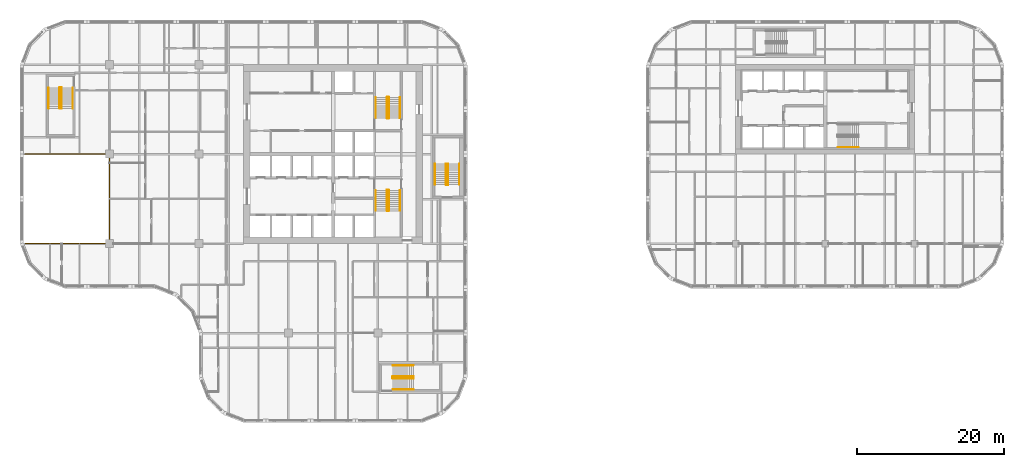
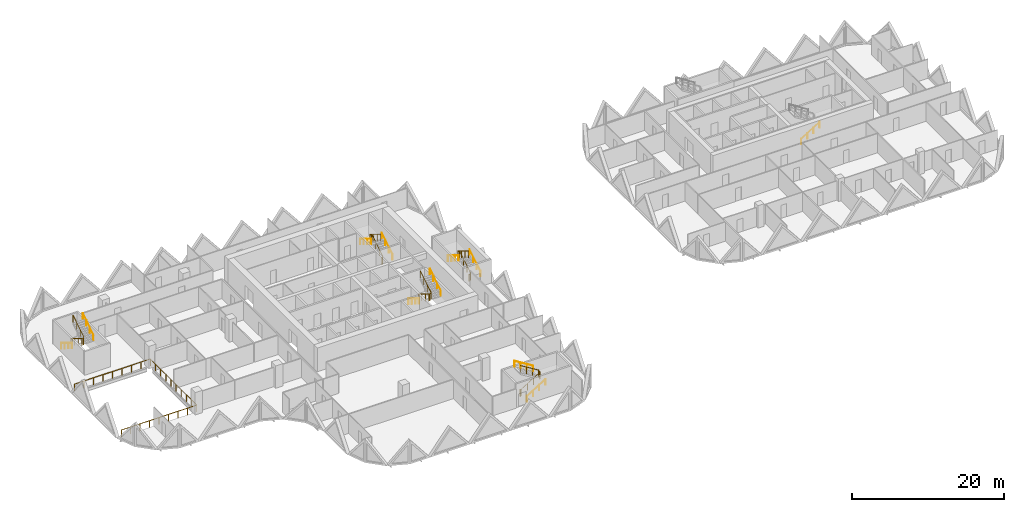
# One storey, part 18 of 19: 17 railings.
"""IFC4 building model written with IfcOpenShell, lengths in metres."""

import ifcopenshell
import ifcopenshell.guid

model = None  # the IFC model being written
_history = None  # IfcOwnerHistory: only IFC2X3 demands one
_inside = {}  # id of a spatial element -> (the spatial element, [elements in it])
_under = {}  # id of a project, library or spatial element -> (it, [spatial elements below it])
_declared = {}  # id of a project -> (the project, [libraries it declares])
_typed = {}  # id of a type object -> (the type object, [elements of that type])
_made_of = {}  # id of a material, layer set ... -> (it, [elements and type objects made of it])


def new_model(schema):
    """Start an empty IFC model of exactly this schema.

    Asked for "IFC4X3", IfcOpenShell would pick the latest addendum, in which some entities
    have other attributes; the version numbers below select the first issue.
    IFC2X3 requires an IfcOwnerHistory on every rooted entity: one is made here for all.
    """
    global model, _history
    if schema == "IFC4X3":
        model = ifcopenshell.file(schema_version=(4, 3, 0, 0))
    else:
        model = ifcopenshell.file(schema=schema)
    _inside.clear()
    _under.clear()
    _declared.clear()
    _typed.clear()
    _made_of.clear()
    _history = None
    if model.schema == "IFC2X3":
        org = make("IfcOrganization", Name="unknown")
        user = make(
            "IfcPersonAndOrganization",
            ThePerson=make("IfcPerson", FamilyName="unknown"),
            TheOrganization=org,
        )
        app = make(
            "IfcApplication",
            ApplicationDeveloper=org,
            Version="unknown",
            ApplicationFullName="unknown",
            ApplicationIdentifier="unknown",
        )
        _history = make(
            "IfcOwnerHistory",
            OwningUser=user,
            OwningApplication=app,
            ChangeAction="ADDED",
            CreationDate=0,
        )
    return model


def make(cls, **values):
    """One entity of the class cls with the attributes given. An attribute that is None is left unset."""
    return model.create_entity(
        cls, **{name: value for name, value in values.items() if value is not None}
    )


def rooted(cls, **values):
    """An entity with a GlobalId (a new one), such as an element, a storey or a relation."""
    return make(cls, GlobalId=ifcopenshell.guid.new(), OwnerHistory=_history, **values)


def si_unit(unit_type, name, prefix=None):
    """IfcSIUnit, for example si_unit("LENGTHUNIT", "METRE", prefix="MILLI")."""
    return make("IfcSIUnit", UnitType=unit_type, Prefix=prefix, Name=name)


def assignment(units):
    """IfcUnitAssignment: the units of a project."""
    return None if units is None else make("IfcUnitAssignment", Units=units)


def point(xyz):
    """IfcCartesianPoint."""
    return None if xyz is None else make("IfcCartesianPoint", Coordinates=xyz)


def direction(xyz):
    """IfcDirection."""
    return None if xyz is None else make("IfcDirection", DirectionRatios=xyz)


def frame(location, z_axis=None, x_axis=None):
    """IfcAxis2Placement3D, a coordinate frame: its origin and axes. An axis left out is left unset."""
    return make(
        "IfcAxis2Placement3D",
        Location=point(location),
        Axis=direction(z_axis),
        RefDirection=direction(x_axis),
    )


def frame_2d(location, x_axis=None):
    """IfcAxis2Placement2D, a coordinate frame in the plane: its origin and x axis."""
    return make(
        "IfcAxis2Placement2D", Location=point(location), RefDirection=direction(x_axis)
    )


def origin():
    """The frame at (0, 0, 0) with its axes left unset."""
    return frame((0.0, 0.0, 0.0))


def origin_2d():
    """The frame at (0, 0) in the plane with its x axis left unset."""
    return frame_2d((0.0, 0.0))


def place(relative_to, where):
    """IfcLocalPlacement: puts the frame where relative to a parent placement (None: the world)."""
    return make(
        "IfcLocalPlacement", PlacementRelTo=relative_to, RelativePlacement=where
    )


def context(
    kind, dimensions, precision=None, world=None, true_north=None, identifier=None
):
    """IfcGeometricRepresentationContext, for example the 3D "Model" context."""
    return make(
        "IfcGeometricRepresentationContext",
        ContextIdentifier=identifier,
        ContextType=kind,
        CoordinateSpaceDimension=dimensions,
        Precision=precision,
        WorldCoordinateSystem=world,
        TrueNorth=true_north,
    )


def subcontext(parent, identifier, kind, view, scale=None):
    """IfcGeometricRepresentationSubContext, for example "Body" below "Model"."""
    return make(
        "IfcGeometricRepresentationSubContext",
        ContextIdentifier=identifier,
        ContextType=kind,
        ParentContext=parent,
        TargetScale=scale,
        TargetView=view,
    )


def project(units=None, contexts=None):
    """IfcProject with its units and contexts."""
    return rooted(
        "IfcProject",
        Name="project",
        RepresentationContexts=contexts,
        UnitsInContext=assignment(units),
    )


def spatial(cls, under=None, at=None, **own):
    """A site, building, storey or space (cls), placed at a placement, below another one or the project."""
    s = rooted(cls, ObjectPlacement=at, **own)
    if under is not None:
        _under.setdefault(under.id(), (under, []))[1].append(s)
    return s


def profile(cls, at=None, kind="AREA", **sizes):
    """A parametric profile (cls). Its sizes go by their IFC names, for example OverallWidth=200.0."""
    return make(cls, ProfileType=kind, Position=at, **sizes)


def circle(**sizes):
    """IfcCircleProfileDef."""
    return profile("IfcCircleProfileDef", **sizes)


def extrude(swept, where, along, depth):
    """IfcExtrudedAreaSolid: the profile swept, set in the frame where, extruded along a direction by depth."""
    return make(
        "IfcExtrudedAreaSolid",
        SweptArea=swept,
        Position=where,
        ExtrudedDirection=direction(along),
        Depth=depth,
    )


def shape(context_of_items, identifier, shape_type, items):
    """IfcShapeRepresentation: the items that make up one representation, for example the "Body"."""
    return make(
        "IfcShapeRepresentation",
        ContextOfItems=context_of_items,
        RepresentationIdentifier=identifier,
        RepresentationType=shape_type,
        Items=items,
    )


def material(Name=None, Category=None):
    """IfcMaterial."""
    return make("IfcMaterial", Name=Name, Category=Category)


def made_of(thing, what):
    """Note that an element or type object is made of a material, layer set ...; save() writes the relation."""
    if what is not None:
        _made_of.setdefault(what.id(), (what, []))[1].append(thing)
    return thing


def type_object(cls, material=None, **own):
    """A type object (cls), such as IfcWallType, which elements share."""
    return made_of(rooted(cls, **own), material)


def element(
    cls,
    number,
    at=None,
    inside=None,
    cuts=None,
    type_object=None,
    material=None,
    context=None,
    identifier="Body",
    shape_type=None,
    held_by="IfcProductDefinitionShape",
    body=None,
    shapes=None,
    **own,
):
    """One element of the class cls, such as IfcWall. Its Tag is "e" and its number.

    at: its placement. inside: the storey or other place that contains it. cuts: it is an
    opening in that element (IfcRelVoidsElement). A single representation is given by context,
    identifier, shape_type and body (its items); several are given by shapes. held_by: the class
    of the entity that holds the representations. save() writes the other relations.
    """
    e = rooted(cls, Tag="e%d" % number, ObjectPlacement=at, **own)
    if body is not None:
        shapes = [shape(context, identifier, shape_type, body)]
    if shapes is not None:
        e.Representation = make(held_by, Representations=shapes)
    if inside is not None:
        _inside.setdefault(inside.id(), (inside, []))[1].append(e)
    if cuts is not None:
        rooted(
            "IfcRelVoidsElement", RelatingBuildingElement=cuts, RelatedOpeningElement=e
        )
    if type_object is not None:
        _typed.setdefault(type_object.id(), (type_object, []))[1].append(e)
    return made_of(e, material)


def aggregate(whole, parts):
    """IfcRelAggregates: a whole, such as a stair, and the parts it consists of."""
    return rooted("IfcRelAggregates", RelatingObject=whole, RelatedObjects=parts)


def save(model, path):
    """Write the relations noted so far, then the file.

    IfcRelAggregates (storeys below a building ...), IfcRelContainedInSpatialStructure (elements
    in a storey), IfcRelDefinesByType, IfcRelAssociatesMaterial and IfcRelDeclares: one each for
    every whole, place, type object, material and project.
    """
    for whole, parts in _under.values():
        aggregate(whole, parts)
    for where, things in _inside.values():
        rooted(
            "IfcRelContainedInSpatialStructure",
            RelatedElements=things,
            RelatingStructure=where,
        )
    for kind, things in _typed.values():
        rooted("IfcRelDefinesByType", RelatedObjects=things, RelatingType=kind)
    for what, things in _made_of.values():
        rooted("IfcRelAssociatesMaterial", RelatedObjects=things, RelatingMaterial=what)
    for by, libraries in _declared.values():
        rooted("IfcRelDeclares", RelatingContext=by, RelatedDefinitions=libraries)
    model.write(path)


model = new_model("IFC4")

# Units and contexts
model_context = context("Model", 3, precision=1e-05, world=origin(), true_north=direction((0.0, 1.0)))
body_context = subcontext(model_context, "Body", "Model", "MODEL_VIEW")
ifc_project = project(units=[si_unit("LENGTHUNIT", "METRE"), si_unit("AREAUNIT", "SQUARE_METRE"), si_unit("VOLUMEUNIT", "CUBIC_METRE"), si_unit("PLANEANGLEUNIT", "RADIAN"), si_unit("MASSUNIT", "GRAM", prefix="KILO")], contexts=[model_context])

# Site, building, storey
site_placement = place(None, origin())
site = spatial("IfcSite", under=ifc_project, at=site_placement, CompositionType="ELEMENT")
building_placement = place(site_placement, origin())
building = spatial("IfcBuilding", under=site, at=building_placement, Name="Tessera Gate Towers", CompositionType="ELEMENT")
storey_placement = place(building_placement, frame((0.0, 0.0, 25.800048828125)))
storey = spatial("IfcBuildingStorey", under=building, at=storey_placement, Name="L05", CompositionType="ELEMENT", Elevation=25.800048828125)

# Railings
ifc_material_1 = material(Name="Toughened glass with stainless steel handrail", Category="steel")
railing_type_1 = type_object("IfcRailingType", Name="GUARD 1100 GLASS BALUSTRADE", PredefinedType="GUARDRAIL", material=ifc_material_1)
railing_1_placement = place(storey_placement, frame((0.750244140625, 24.39990234375, 0.0)))
element("IfcRailing", 1, at=railing_1_placement, inside=storey, type_object=railing_type_1, Name="Guard", PredefinedType="GUARDRAIL", context=body_context, shape_type="SweptSolid", body=[
    extrude(circle(Radius=0.02490234375, at=origin_2d()), frame((0.0, 0.0, 1.0751953125), z_axis=(1.0, 0.0, 0.0), x_axis=(0.0, 1.0, 0.0)), (0.0, 0.0, 1.0), 11.44970703125),
    extrude(circle(Radius=0.02490234375, at=origin_2d()), frame((11.44970703125, 0.0, 1.0751953125), z_axis=(0.0, 1.0, 0.0), x_axis=(-1.0, 0.0, 0.0)), (0.0, 0.0, 1.0), 12.2001953125),
    extrude(circle(Radius=0.02490234375, at=origin_2d()), frame((11.44970703125, 12.2001953125, 1.0751953125), z_axis=(-1.0, 0.0, 0.0), x_axis=(0.0, -1.0, 0.0)), (0.0, 0.0, 1.0), 11.5),
    extrude(circle(Radius=0.02490234375, at=origin_2d()), origin(), (0.0, 0.0, 1.0), 1.050048828125),
    extrude(circle(Radius=0.02490234375, at=origin_2d()), frame((1.43115234375, 0.0, 0.0)), (0.0, 0.0, 1.0), 1.050048828125),
    extrude(circle(Radius=0.02490234375, at=origin_2d()), frame((2.8623046875, 0.0, 0.0)), (0.0, 0.0, 1.0), 1.050048828125),
    extrude(circle(Radius=0.02490234375, at=origin_2d()), frame((4.293701171875, 0.0, 0.0)), (0.0, 0.0, 1.0), 1.050048828125),
    extrude(circle(Radius=0.02490234375, at=origin_2d()), frame((5.724853515625, 0.0, 0.0)), (0.0, 0.0, 1.0), 1.050048828125),
    extrude(circle(Radius=0.02490234375, at=origin_2d()), frame((7.156005859375, 0.0, 0.0)), (0.0, 0.0, 1.0), 1.050048828125),
    extrude(circle(Radius=0.02490234375, at=origin_2d()), frame((8.58740234375, 0.0, 0.0)), (0.0, 0.0, 1.0), 1.050048828125),
    extrude(circle(Radius=0.02490234375, at=origin_2d()), frame((10.0185546875, 0.0, 0.0)), (0.0, 0.0, 1.0), 1.050048828125),
    extrude(circle(Radius=0.02490234375, at=origin_2d()), frame((11.44970703125, 0.0, 0.0)), (0.0, 0.0, 1.0), 1.050048828125),
    extrude(circle(Radius=0.02490234375, at=origin_2d()), frame((11.44970703125, 1.35546875, 0.0)), (0.0, 0.0, 1.0), 1.050048828125),
    extrude(circle(Radius=0.02490234375, at=origin_2d()), frame((11.44970703125, 2.711181640625, 0.0)), (0.0, 0.0, 1.0), 1.050048828125),
    extrude(circle(Radius=0.02490234375, at=origin_2d()), frame((11.44970703125, 4.066650390625, 0.0)), (0.0, 0.0, 1.0), 1.050048828125),
    extrude(circle(Radius=0.02490234375, at=origin_2d()), frame((11.44970703125, 5.42236328125, 0.0)), (0.0, 0.0, 1.0), 1.050048828125),
    extrude(circle(Radius=0.02490234375, at=origin_2d()), frame((11.44970703125, 6.77783203125, 0.0)), (0.0, 0.0, 1.0), 1.050048828125),
    extrude(circle(Radius=0.02490234375, at=origin_2d()), frame((11.44970703125, 8.133544921875, 0.0)), (0.0, 0.0, 1.0), 1.050048828125),
    extrude(circle(Radius=0.02490234375, at=origin_2d()), frame((11.44970703125, 9.489013671875, 0.0)), (0.0, 0.0, 1.0), 1.050048828125),
    extrude(circle(Radius=0.02490234375, at=origin_2d()), frame((11.44970703125, 10.8447265625, 0.0)), (0.0, 0.0, 1.0), 1.050048828125),
    extrude(circle(Radius=0.02490234375, at=origin_2d()), frame((11.44970703125, 12.2001953125, 0.0)), (0.0, 0.0, 1.0), 1.050048828125),
    extrude(circle(Radius=0.02490234375, at=origin_2d()), frame((10.01220703125, 12.2001953125, 0.0)), (0.0, 0.0, 1.0), 1.050048828125),
    extrude(circle(Radius=0.02490234375, at=origin_2d()), frame((8.57470703125, 12.2001953125, 0.0)), (0.0, 0.0, 1.0), 1.050048828125),
    extrude(circle(Radius=0.02490234375, at=origin_2d()), frame((7.13720703125, 12.2001953125, 0.0)), (0.0, 0.0, 1.0), 1.050048828125),
    extrude(circle(Radius=0.02490234375, at=origin_2d()), frame((5.69970703125, 12.2001953125, 0.0)), (0.0, 0.0, 1.0), 1.050048828125),
    extrude(circle(Radius=0.02490234375, at=origin_2d()), frame((4.26220703125, 12.2001953125, 0.0)), (0.0, 0.0, 1.0), 1.050048828125),
    extrude(circle(Radius=0.02490234375, at=origin_2d()), frame((2.82470703125, 12.2001953125, 0.0)), (0.0, 0.0, 1.0), 1.050048828125),
    extrude(circle(Radius=0.02490234375, at=origin_2d()), frame((1.38720703125, 12.2001953125, 0.0)), (0.0, 0.0, 1.0), 1.050048828125),
    extrude(circle(Radius=0.02490234375, at=origin_2d()), frame((-0.05029296875, 12.2001953125, 0.0)), (0.0, 0.0, 1.0), 1.050048828125),
])
ifc_material_2 = material(Name="Steel 350W", Category="steel")
railing_type_2 = type_object("IfcRailingType", Name="STAIR GUARD 1100", PredefinedType="GUARDRAIL", material=ifc_material_2)
railing_2_placement = place(storey_placement, frame((50.27490234375, 31.72509765625, 0.0)))
element("IfcRailing", 2, at=railing_2_placement, inside=storey, type_object=railing_type_2, Name="L05 ST1 stair guard 1", PredefinedType="GUARDRAIL", context=body_context, shape_type="SweptSolid", body=[
    extrude(circle(Radius=0.02392578125, at=origin_2d()), frame((0.0, 0.0, 1.076171875), z_axis=(-1.0, 0.0, 0.0), x_axis=(0.0, -1.0, 0.0)), (0.0, 0.0, 1.0), 0.199951171875),
    extrude(circle(Radius=0.02392578125, at=origin_2d()), frame((-0.199951171875, 0.0, 1.076171875), z_axis=(-0.268277960024, -0.268277960024, 0.925231793839), x_axis=(0.707106781187, -0.707106781187, 0.0)), (0.0, 0.0, 1.0), 0.1865234375),
    extrude(circle(Radius=0.02392578125, at=origin_2d()), frame((-0.25, -0.050048828125, 1.24853515625), z_axis=(0.0, -0.851089632645, 0.525020415988), x_axis=(1.0, 0.0, 0.0)), (0.0, 0.0, 1.0), 3.2900390625),
    extrude(circle(Radius=0.02392578125, at=origin_2d()), frame((-0.25, -2.85009765625, 2.97607421875), z_axis=(0.707106781187, -0.707106781187, 0.0), x_axis=(0.707106781187, 0.707106781187, 0.0)), (0.0, 0.0, 1.0), 0.07080078125),
    extrude(circle(Radius=0.02392578125, at=origin_2d()), frame((-0.199951171875, -2.900146484375, 2.97607421875), z_axis=(1.0, 0.0, 0.0), x_axis=(0.0, 1.0, 0.0)), (0.0, 0.0, 1.0), 0.199951171875),
    extrude(circle(Radius=0.02392578125, at=origin_2d()), frame((0.0, -2.900146484375, 2.97607421875), z_axis=(0.267953482034, 0.267953482034, 0.925419830635), x_axis=(-0.707106781187, 0.707106781187, 0.0)), (0.0, 0.0, 1.0), 0.186767578125),
    extrude(circle(Radius=0.02392578125, at=origin_2d()), frame((0.050048828125, -2.85009765625, 3.14892578125), z_axis=(0.0, 0.851089632645, 0.525020415988), x_axis=(-1.0, 0.0, 0.0)), (0.0, 0.0, 1.0), 3.2900390625),
    extrude(circle(Radius=0.02099609375, at=origin_2d()), origin(), (0.0, 0.0, 1.0), 1.052001953125),
    extrude(circle(Radius=0.02099609375, at=origin_2d()), frame((-0.199951171875, 0.0, 0.0)), (0.0, 0.0, 1.0), 1.052001953125),
    extrude(circle(Radius=0.02099609375, at=origin_2d()), frame((-0.25, -0.050048828125, 0.172607421875)), (0.0, 0.0, 1.0), 1.052001953125),
    extrude(circle(Radius=0.02099609375, at=origin_2d()), frame((-0.25, -0.9833984375, 0.748291015625)), (0.0, 0.0, 1.0), 1.052001953125),
    extrude(circle(Radius=0.02099609375, at=origin_2d()), frame((-0.25, -1.916748046875, 1.32421875)), (0.0, 0.0, 1.0), 1.052001953125),
    extrude(circle(Radius=0.02099609375, at=origin_2d()), frame((-0.25, -2.85009765625, 1.89990234375)), (0.0, 0.0, 1.0), 1.052001953125),
    extrude(circle(Radius=0.02099609375, at=origin_2d()), frame((-0.199951171875, -2.900146484375, 1.89990234375)), (0.0, 0.0, 1.0), 1.052001953125),
    extrude(circle(Radius=0.02099609375, at=origin_2d()), frame((0.0, -2.900146484375, 1.89990234375)), (0.0, 0.0, 1.0), 1.052001953125),
    extrude(circle(Radius=0.02099609375, at=origin_2d()), frame((0.050048828125, -2.85009765625, 2.07275390625)), (0.0, 0.0, 1.0), 1.052001953125),
    extrude(circle(Radius=0.02099609375, at=origin_2d()), frame((0.050048828125, -1.916748046875, 2.6484375)), (0.0, 0.0, 1.0), 1.052001953125),
    extrude(circle(Radius=0.02099609375, at=origin_2d()), frame((0.050048828125, -0.9833984375, 3.224365234375)), (0.0, 0.0, 1.0), 1.052001953125),
    extrude(circle(Radius=0.02099609375, at=origin_2d()), frame((0.050048828125, -0.050048828125, 3.800048828125)), (0.0, 0.0, 1.0), 1.052001953125),
])
railing_3_placement = place(storey_placement, frame((50.074951171875, 41.47509765625, 0.0)))
element("IfcRailing", 3, at=railing_3_placement, inside=storey, type_object=railing_type_2, Name="L05 ST2 stair guard 1", PredefinedType="GUARDRAIL", context=body_context, shape_type="SweptSolid", body=[
    extrude(circle(Radius=0.02392578125, at=origin_2d()), frame((0.0, 0.0, 1.076171875), z_axis=(1.0, 0.0, 0.0), x_axis=(0.0, 1.0, 0.0)), (0.0, 0.0, 1.0), 0.199951171875),
    extrude(circle(Radius=0.02392578125, at=origin_2d()), frame((0.199951171875, 0.0, 1.076171875), z_axis=(0.268371968888, 0.267062837333, 0.925556009775), x_axis=(-0.705375805398, 0.708833529934, 0.0)), (0.0, 0.0, 1.0), 0.1865234375),
    extrude(circle(Radius=0.02392578125, at=origin_2d()), frame((0.25, 0.0498046875, 1.24853515625), z_axis=(0.0, 0.851089632645, 0.525020415988), x_axis=(-1.0, 0.0, 0.0)), (0.0, 0.0, 1.0), 3.2900390625),
    extrude(circle(Radius=0.02392578125, at=origin_2d()), frame((0.25, 2.849853515625, 2.97607421875), z_axis=(-0.707106781187, 0.707106781187, 0.0), x_axis=(-0.707106781187, -0.707106781187, 0.0)), (0.0, 0.0, 1.0), 0.07080078125),
    extrude(circle(Radius=0.02392578125, at=origin_2d()), frame((0.199951171875, 2.89990234375, 2.97607421875), z_axis=(-1.0, 0.0, 0.0), x_axis=(0.0, -1.0, 0.0)), (0.0, 0.0, 1.0), 0.199951171875),
    extrude(circle(Radius=0.02392578125, at=origin_2d()), frame((0.0, 2.89990234375, 2.97607421875), z_axis=(-0.267953482034, -0.267953482034, 0.925419830635), x_axis=(0.707106781187, -0.707106781187, 0.0)), (0.0, 0.0, 1.0), 0.186767578125),
    extrude(circle(Radius=0.02392578125, at=origin_2d()), frame((-0.050048828125, 2.849853515625, 3.14892578125), z_axis=(0.0, -0.851089632645, 0.525020415988), x_axis=(1.0, 0.0, 0.0)), (0.0, 0.0, 1.0), 3.2900390625),
    extrude(circle(Radius=0.02099609375, at=origin_2d()), origin(), (0.0, 0.0, 1.0), 1.052001953125),
    extrude(circle(Radius=0.02099609375, at=origin_2d()), frame((0.199951171875, 0.0, 0.0)), (0.0, 0.0, 1.0), 1.052001953125),
    extrude(circle(Radius=0.02099609375, at=origin_2d()), frame((0.25, 0.0498046875, 0.172607421875)), (0.0, 0.0, 1.0), 1.052001953125),
    extrude(circle(Radius=0.02099609375, at=origin_2d()), frame((0.25, 0.983154296875, 0.748291015625)), (0.0, 0.0, 1.0), 1.052001953125),
    extrude(circle(Radius=0.02099609375, at=origin_2d()), frame((0.25, 1.91650390625, 1.32421875)), (0.0, 0.0, 1.0), 1.052001953125),
    extrude(circle(Radius=0.02099609375, at=origin_2d()), frame((0.25, 2.849853515625, 1.89990234375)), (0.0, 0.0, 1.0), 1.052001953125),
    extrude(circle(Radius=0.02099609375, at=origin_2d()), frame((0.199951171875, 2.89990234375, 1.89990234375)), (0.0, 0.0, 1.0), 1.052001953125),
    extrude(circle(Radius=0.02099609375, at=origin_2d()), frame((0.0, 2.89990234375, 1.89990234375)), (0.0, 0.0, 1.0), 1.052001953125),
    extrude(circle(Radius=0.02099609375, at=origin_2d()), frame((-0.050048828125, 2.849853515625, 2.07275390625)), (0.0, 0.0, 1.0), 1.052001953125),
    extrude(circle(Radius=0.02099609375, at=origin_2d()), frame((-0.050048828125, 1.91650390625, 2.6484375)), (0.0, 0.0, 1.0), 1.052001953125),
    extrude(circle(Radius=0.02099609375, at=origin_2d()), frame((-0.050048828125, 0.983154296875, 3.224365234375)), (0.0, 0.0, 1.0), 1.052001953125),
    extrude(circle(Radius=0.02099609375, at=origin_2d()), frame((-0.050048828125, 0.0498046875, 3.800048828125)), (0.0, 0.0, 1.0), 1.052001953125),
])
railing_4_placement = place(storey_placement, frame((5.64990234375, 45.699951171875, 0.0)))
element("IfcRailing", 4, at=railing_4_placement, inside=storey, type_object=railing_type_2, Name="L05 ST3 stair guard 1", PredefinedType="GUARDRAIL", context=body_context, shape_type="SweptSolid", body=[
    extrude(circle(Radius=0.02392578125, at=origin_2d()), frame((0.0, 0.0, 1.076171875), z_axis=(-1.0, 0.0, 0.0), x_axis=(0.0, -1.0, 0.0)), (0.0, 0.0, 1.0), 0.199951171875),
    extrude(circle(Radius=0.02392578125, at=origin_2d()), frame((-0.199951171875, 0.0, 1.076171875), z_axis=(-0.268277960024, -0.268277960024, 0.925231793839), x_axis=(0.707106781187, -0.707106781187, 0.0)), (0.0, 0.0, 1.0), 0.1865234375),
    extrude(circle(Radius=0.02392578125, at=origin_2d()), frame((-0.25, -0.050048828125, 1.24853515625), z_axis=(0.0, -0.851069175582, 0.525053576669), x_axis=(1.0, 0.0, 0.0)), (0.0, 0.0, 1.0), 3.289794921875),
    extrude(circle(Radius=0.02392578125, at=origin_2d()), frame((-0.25, -2.849853515625, 2.97607421875), z_axis=(0.707106781187, -0.707106781187, 0.0), x_axis=(0.707106781187, 0.707106781187, 0.0)), (0.0, 0.0, 1.0), 0.07080078125),
    extrude(circle(Radius=0.02392578125, at=origin_2d()), frame((-0.199951171875, -2.89990234375, 2.97607421875), z_axis=(1.0, 0.0, 0.0), x_axis=(0.0, 1.0, 0.0)), (0.0, 0.0, 1.0), 0.199951171875),
    extrude(circle(Radius=0.02392578125, at=origin_2d()), frame((0.0, -2.89990234375, 2.97607421875), z_axis=(0.267953482034, 0.267953482034, 0.925419830635), x_axis=(-0.707106781187, 0.707106781187, 0.0)), (0.0, 0.0, 1.0), 0.186767578125),
    extrude(circle(Radius=0.02392578125, at=origin_2d()), frame((0.050048828125, -2.849853515625, 3.14892578125), z_axis=(0.0, 0.851069175582, 0.525053576669), x_axis=(-1.0, 0.0, 0.0)), (0.0, 0.0, 1.0), 3.289794921875),
    extrude(circle(Radius=0.02099609375, at=origin_2d()), origin(), (0.0, 0.0, 1.0), 1.052001953125),
    extrude(circle(Radius=0.02099609375, at=origin_2d()), frame((-0.199951171875, 0.0, 0.0)), (0.0, 0.0, 1.0), 1.052001953125),
    extrude(circle(Radius=0.02099609375, at=origin_2d()), frame((-0.25, -0.050048828125, 0.172607421875)), (0.0, 0.0, 1.0), 1.052001953125),
    extrude(circle(Radius=0.02099609375, at=origin_2d()), frame((-0.25, -0.9833984375, 0.748291015625)), (0.0, 0.0, 1.0), 1.052001953125),
    extrude(circle(Radius=0.02099609375, at=origin_2d()), frame((-0.25, -1.91650390625, 1.32421875)), (0.0, 0.0, 1.0), 1.052001953125),
    extrude(circle(Radius=0.02099609375, at=origin_2d()), frame((-0.25, -2.849853515625, 1.89990234375)), (0.0, 0.0, 1.0), 1.052001953125),
    extrude(circle(Radius=0.02099609375, at=origin_2d()), frame((-0.199951171875, -2.89990234375, 1.89990234375)), (0.0, 0.0, 1.0), 1.052001953125),
    extrude(circle(Radius=0.02099609375, at=origin_2d()), frame((0.0, -2.89990234375, 1.89990234375)), (0.0, 0.0, 1.0), 1.052001953125),
    extrude(circle(Radius=0.02099609375, at=origin_2d()), frame((0.050048828125, -2.849853515625, 2.07275390625)), (0.0, 0.0, 1.0), 1.052001953125),
    extrude(circle(Radius=0.02099609375, at=origin_2d()), frame((0.050048828125, -1.91650390625, 2.6484375)), (0.0, 0.0, 1.0), 1.052001953125),
    extrude(circle(Radius=0.02099609375, at=origin_2d()), frame((0.050048828125, -0.9833984375, 3.224365234375)), (0.0, 0.0, 1.0), 1.052001953125),
    extrude(circle(Radius=0.02099609375, at=origin_2d()), frame((0.050048828125, -0.050048828125, 3.800048828125)), (0.0, 0.0, 1.0), 1.052001953125),
])
railing_5_placement = place(storey_placement, frame((50.800048828125, 6.25, 0.0)))
element("IfcRailing", 5, at=railing_5_placement, inside=storey, type_object=railing_type_2, Name="L05 ST4 stair guard 1", PredefinedType="GUARDRAIL", context=body_context, shape_type="SweptSolid", body=[
    extrude(circle(Radius=0.02392578125, at=origin_2d()), frame((0.0, 0.0, 1.076171875), z_axis=(0.0, -1.0, 0.0), x_axis=(1.0, 0.0, 0.0)), (0.0, 0.0, 1.0), 0.199951171875),
    extrude(circle(Radius=0.02392578125, at=origin_2d()), frame((0.0, -0.199951171875, 1.076171875), z_axis=(0.268277960024, -0.268277960024, 0.925231793839), x_axis=(0.707106781187, 0.707106781187, 0.0)), (0.0, 0.0, 1.0), 0.1865234375),
    extrude(circle(Radius=0.02392578125, at=origin_2d()), frame((0.050048828125, -0.25, 1.24853515625), z_axis=(0.851069175582, 0.0, 0.525053576669), x_axis=(0.0, 1.0, 0.0)), (0.0, 0.0, 1.0), 3.289794921875),
    extrude(circle(Radius=0.02392578125, at=origin_2d()), frame((2.849853515625, -0.25, 2.97607421875), z_axis=(0.707106781187, 0.707106781187, 0.0), x_axis=(-0.707106781187, 0.707106781187, 0.0)), (0.0, 0.0, 1.0), 0.07080078125),
    extrude(circle(Radius=0.02392578125, at=origin_2d()), frame((2.89990234375, -0.199951171875, 2.97607421875), z_axis=(0.0, 1.0, 0.0), x_axis=(-1.0, 0.0, 0.0)), (0.0, 0.0, 1.0), 0.199951171875),
    extrude(circle(Radius=0.02392578125, at=origin_2d()), frame((2.89990234375, 0.0, 2.97607421875), z_axis=(-0.267953482034, 0.267953482034, 0.925419830635), x_axis=(-0.707106781187, -0.707106781187, 0.0)), (0.0, 0.0, 1.0), 0.186767578125),
    extrude(circle(Radius=0.02392578125, at=origin_2d()), frame((2.849853515625, 0.050048828125, 3.14892578125), z_axis=(-0.851069175582, 0.0, 0.525053576669), x_axis=(0.0, -1.0, 0.0)), (0.0, 0.0, 1.0), 3.289794921875),
    extrude(circle(Radius=0.02099609375, at=origin_2d()), origin(), (0.0, 0.0, 1.0), 1.052001953125),
    extrude(circle(Radius=0.02099609375, at=origin_2d()), frame((0.0, -0.199951171875, 0.0)), (0.0, 0.0, 1.0), 1.052001953125),
    extrude(circle(Radius=0.02099609375, at=origin_2d()), frame((0.050048828125, -0.25, 0.172607421875)), (0.0, 0.0, 1.0), 1.052001953125),
    extrude(circle(Radius=0.02099609375, at=origin_2d()), frame((0.9833984375, -0.25, 0.748291015625)), (0.0, 0.0, 1.0), 1.052001953125),
    extrude(circle(Radius=0.02099609375, at=origin_2d()), frame((1.91650390625, -0.25, 1.32421875)), (0.0, 0.0, 1.0), 1.052001953125),
    extrude(circle(Radius=0.02099609375, at=origin_2d()), frame((2.849853515625, -0.25, 1.89990234375)), (0.0, 0.0, 1.0), 1.052001953125),
    extrude(circle(Radius=0.02099609375, at=origin_2d()), frame((2.89990234375, -0.199951171875, 1.89990234375)), (0.0, 0.0, 1.0), 1.052001953125),
    extrude(circle(Radius=0.02099609375, at=origin_2d()), frame((2.89990234375, 0.0, 1.89990234375)), (0.0, 0.0, 1.0), 1.052001953125),
    extrude(circle(Radius=0.02099609375, at=origin_2d()), frame((2.849853515625, 0.050048828125, 2.07275390625)), (0.0, 0.0, 1.0), 1.052001953125),
    extrude(circle(Radius=0.02099609375, at=origin_2d()), frame((1.91650390625, 0.050048828125, 2.6484375)), (0.0, 0.0, 1.0), 1.052001953125),
    extrude(circle(Radius=0.02099609375, at=origin_2d()), frame((0.9833984375, 0.050048828125, 3.224365234375)), (0.0, 0.0, 1.0), 1.052001953125),
    extrude(circle(Radius=0.02099609375, at=origin_2d()), frame((0.050048828125, 0.050048828125, 3.800048828125)), (0.0, 0.0, 1.0), 1.052001953125),
])
railing_6_placement = place(storey_placement, frame((58.14990234375, 32.39990234375, 0.0)))
element("IfcRailing", 6, at=railing_6_placement, inside=storey, type_object=railing_type_2, Name="L05 ST5 stair guard 1", PredefinedType="GUARDRAIL", context=body_context, shape_type="SweptSolid", body=[
    extrude(circle(Radius=0.02392578125, at=origin_2d()), frame((0.0, 0.0, 1.076171875), z_axis=(1.0, 0.0, 0.0), x_axis=(0.0, 1.0, 0.0)), (0.0, 0.0, 1.0), 0.2001953125),
    extrude(circle(Radius=0.02392578125, at=origin_2d()), frame((0.2001953125, 0.0, 1.076171875), z_axis=(0.267062837333, 0.268371968888, 0.925556009775), x_axis=(-0.708833529934, 0.705375805398, 0.0)), (0.0, 0.0, 1.0), 0.1865234375),
    extrude(circle(Radius=0.02392578125, at=origin_2d()), frame((0.25, 0.050048828125, 1.24853515625), z_axis=(0.0, 0.851089632645, 0.525020415988), x_axis=(-1.0, 0.0, 0.0)), (0.0, 0.0, 1.0), 3.2900390625),
    extrude(circle(Radius=0.02392578125, at=origin_2d()), frame((0.25, 2.85009765625, 2.97607421875), z_axis=(-0.705375805398, 0.708833529934, 0.0), x_axis=(-0.708833529934, -0.705375805398, 0.0)), (0.0, 0.0, 1.0), 0.070556640625),
    extrude(circle(Radius=0.02392578125, at=origin_2d()), frame((0.2001953125, 2.900146484375, 2.97607421875), z_axis=(-1.0, 0.0, 0.0), x_axis=(0.0, -1.0, 0.0)), (0.0, 0.0, 1.0), 0.2001953125),
    extrude(circle(Radius=0.02392578125, at=origin_2d()), frame((0.0, 2.900146484375, 2.97607421875), z_axis=(-0.266739603011, -0.268047150085, 0.925743328097), x_axis=(0.708833529934, -0.705375805398, 0.0)), (0.0, 0.0, 1.0), 0.186767578125),
    extrude(circle(Radius=0.02392578125, at=origin_2d()), frame((-0.0498046875, 2.85009765625, 3.14892578125), z_axis=(0.0, -0.851089632645, 0.525020415988), x_axis=(1.0, 0.0, 0.0)), (0.0, 0.0, 1.0), 3.2900390625),
    extrude(circle(Radius=0.02099609375, at=origin_2d()), origin(), (0.0, 0.0, 1.0), 1.052001953125),
    extrude(circle(Radius=0.02099609375, at=origin_2d()), frame((0.2001953125, 0.0, 0.0)), (0.0, 0.0, 1.0), 1.052001953125),
    extrude(circle(Radius=0.02099609375, at=origin_2d()), frame((0.25, 0.050048828125, 0.172607421875)), (0.0, 0.0, 1.0), 1.052001953125),
    extrude(circle(Radius=0.02099609375, at=origin_2d()), frame((0.25, 0.9833984375, 0.748291015625)), (0.0, 0.0, 1.0), 1.052001953125),
    extrude(circle(Radius=0.02099609375, at=origin_2d()), frame((0.25, 1.916748046875, 1.32421875)), (0.0, 0.0, 1.0), 1.052001953125),
    extrude(circle(Radius=0.02099609375, at=origin_2d()), frame((0.25, 2.85009765625, 1.89990234375)), (0.0, 0.0, 1.0), 1.052001953125),
    extrude(circle(Radius=0.02099609375, at=origin_2d()), frame((0.2001953125, 2.900146484375, 1.89990234375)), (0.0, 0.0, 1.0), 1.052001953125),
    extrude(circle(Radius=0.02099609375, at=origin_2d()), frame((0.0, 2.900146484375, 1.89990234375)), (0.0, 0.0, 1.0), 1.052001953125),
    extrude(circle(Radius=0.02099609375, at=origin_2d()), frame((-0.0498046875, 2.85009765625, 2.07275390625)), (0.0, 0.0, 1.0), 1.052001953125),
    extrude(circle(Radius=0.02099609375, at=origin_2d()), frame((-0.0498046875, 1.916748046875, 2.6484375)), (0.0, 0.0, 1.0), 1.052001953125),
    extrude(circle(Radius=0.02099609375, at=origin_2d()), frame((-0.0498046875, 0.9833984375, 3.224365234375)), (0.0, 0.0, 1.0), 1.052001953125),
    extrude(circle(Radius=0.02099609375, at=origin_2d()), frame((-0.0498046875, 0.050048828125, 3.800048828125)), (0.0, 0.0, 1.0), 1.052001953125),
])
ifc_material_3 = material(Name="Steel 350W", Category="steel")
railing_type_3 = type_object("IfcRailingType", Name="STAIR HANDRAIL 900", PredefinedType="HANDRAIL", material=ifc_material_3)
railing_7_placement = place(storey_placement, frame((48.52490234375, 31.675048828125, 0.172607421875)))
element("IfcRailing", 7, at=railing_7_placement, inside=storey, type_object=railing_type_3, Name="L05 ST1 stair handrail 1", PredefinedType="HANDRAIL", context=body_context, shape_type="SweptSolid", body=[
    extrude(circle(Radius=0.02392578125, at=origin_2d()), frame((0.0, 0.0, 0.8759765625), z_axis=(0.0, -0.851089632645, 0.525020415988), x_axis=(1.0, 0.0, 0.0)), (0.0, 0.0, 1.0), 3.2900390625),
    extrude(circle(Radius=0.02099609375, at=origin_2d()), origin(), (0.0, 0.0, 1.0), 0.851806640625),
    extrude(circle(Radius=0.02099609375, at=origin_2d()), frame((0.0, -0.933349609375, 0.57568359375)), (0.0, 0.0, 1.0), 0.851806640625),
    extrude(circle(Radius=0.02099609375, at=origin_2d()), frame((0.0, -1.86669921875, 1.151611328125)), (0.0, 0.0, 1.0), 0.851806640625),
    extrude(circle(Radius=0.02099609375, at=origin_2d()), frame((0.0, -2.800048828125, 1.727294921875)), (0.0, 0.0, 1.0), 0.851806640625),
])
for number, where, name in (
    (8, (51.824951171875, 28.875, 2.07275390625), "L05 ST1 stair handrail 2"),
    (9, (51.824951171875, 41.52490234375, 0.172607421875), "L05 ST2 stair handrail 1"),
):
    element("IfcRailing", number, at=place(storey_placement, frame(where)), inside=storey, type_object=railing_type_3, Name=name, PredefinedType="HANDRAIL", context=body_context, shape_type="SweptSolid", body=[
        extrude(circle(Radius=0.02392578125, at=origin_2d()), frame((0.0, 0.0, 0.8759765625), z_axis=(0.0, 0.851089632645, 0.525020415988), x_axis=(-1.0, 0.0, 0.0)), (0.0, 0.0, 1.0), 3.2900390625),
        extrude(circle(Radius=0.02099609375, at=origin_2d()), origin(), (0.0, 0.0, 1.0), 0.851806640625),
        extrude(circle(Radius=0.02099609375, at=origin_2d()), frame((0.0, 0.933349609375, 0.57568359375)), (0.0, 0.0, 1.0), 0.851806640625),
        extrude(circle(Radius=0.02099609375, at=origin_2d()), frame((0.0, 1.86669921875, 1.151611328125)), (0.0, 0.0, 1.0), 0.851806640625),
        extrude(circle(Radius=0.02099609375, at=origin_2d()), frame((0.0, 2.800048828125, 1.727294921875)), (0.0, 0.0, 1.0), 0.851806640625),
    ])
railing_8_placement = place(storey_placement, frame((48.52490234375, 44.324951171875, 2.07275390625)))
element("IfcRailing", 10, at=railing_8_placement, inside=storey, type_object=railing_type_3, Name="L05 ST2 stair handrail 2", PredefinedType="HANDRAIL", context=body_context, shape_type="SweptSolid", body=[
    extrude(circle(Radius=0.02392578125, at=origin_2d()), frame((0.0, 0.0, 0.8759765625), z_axis=(0.0, -0.851089632645, 0.525020415988), x_axis=(1.0, 0.0, 0.0)), (0.0, 0.0, 1.0), 3.2900390625),
    extrude(circle(Radius=0.02099609375, at=origin_2d()), origin(), (0.0, 0.0, 1.0), 0.851806640625),
    extrude(circle(Radius=0.02099609375, at=origin_2d()), frame((0.0, -0.933349609375, 0.57568359375)), (0.0, 0.0, 1.0), 0.851806640625),
    extrude(circle(Radius=0.02099609375, at=origin_2d()), frame((0.0, -1.86669921875, 1.151611328125)), (0.0, 0.0, 1.0), 0.851806640625),
    extrude(circle(Radius=0.02099609375, at=origin_2d()), frame((0.0, -2.800048828125, 1.727294921875)), (0.0, 0.0, 1.0), 0.851806640625),
])
railing_9_placement = place(storey_placement, frame((3.89990234375, 45.64990234375, 0.172607421875)))
element("IfcRailing", 11, at=railing_9_placement, inside=storey, type_object=railing_type_3, Name="L05 ST3 stair handrail 1", PredefinedType="HANDRAIL", context=body_context, shape_type="SweptSolid", body=[
    extrude(circle(Radius=0.02392578125, at=origin_2d()), frame((0.0, 0.0, 0.8759765625), z_axis=(0.0, -0.851069175582, 0.525053576669), x_axis=(1.0, 0.0, 0.0)), (0.0, 0.0, 1.0), 3.289794921875),
    extrude(circle(Radius=0.02099609375, at=origin_2d()), origin(), (0.0, 0.0, 1.0), 0.851806640625),
    extrude(circle(Radius=0.02099609375, at=origin_2d()), frame((0.0, -0.933349609375, 0.57568359375)), (0.0, 0.0, 1.0), 0.851806640625),
    extrude(circle(Radius=0.02099609375, at=origin_2d()), frame((0.0, -1.866455078125, 1.151611328125)), (0.0, 0.0, 1.0), 0.851806640625),
    extrude(circle(Radius=0.02099609375, at=origin_2d()), frame((0.0, -2.7998046875, 1.727294921875)), (0.0, 0.0, 1.0), 0.851806640625),
])
railing_10_placement = place(storey_placement, frame((7.199951171875, 42.85009765625, 2.07275390625)))
element("IfcRailing", 12, at=railing_10_placement, inside=storey, type_object=railing_type_3, Name="L05 ST3 stair handrail 2", PredefinedType="HANDRAIL", context=body_context, shape_type="SweptSolid", body=[
    extrude(circle(Radius=0.02392578125, at=origin_2d()), frame((0.0, 0.0, 0.8759765625), z_axis=(0.0, 0.851069175582, 0.525053576669), x_axis=(-1.0, 0.0, 0.0)), (0.0, 0.0, 1.0), 3.289794921875),
    extrude(circle(Radius=0.02099609375, at=origin_2d()), origin(), (0.0, 0.0, 1.0), 0.851806640625),
    extrude(circle(Radius=0.02099609375, at=origin_2d()), frame((0.0, 0.933349609375, 0.57568359375)), (0.0, 0.0, 1.0), 0.851806640625),
    extrude(circle(Radius=0.02099609375, at=origin_2d()), frame((0.0, 1.866455078125, 1.151611328125)), (0.0, 0.0, 1.0), 0.851806640625),
    extrude(circle(Radius=0.02099609375, at=origin_2d()), frame((0.0, 2.7998046875, 1.727294921875)), (0.0, 0.0, 1.0), 0.851806640625),
])
railing_11_placement = place(storey_placement, frame((50.85009765625, 4.5, 0.172607421875)))
element("IfcRailing", 13, at=railing_11_placement, inside=storey, type_object=railing_type_3, Name="L05 ST4 stair handrail 1", PredefinedType="HANDRAIL", context=body_context, shape_type="SweptSolid", body=[
    extrude(circle(Radius=0.02392578125, at=origin_2d()), frame((0.0, 0.0, 0.8759765625), z_axis=(0.851069175582, 0.0, 0.525053576669), x_axis=(0.0, 1.0, 0.0)), (0.0, 0.0, 1.0), 3.289794921875),
    extrude(circle(Radius=0.02099609375, at=origin_2d()), origin(), (0.0, 0.0, 1.0), 0.851806640625),
    extrude(circle(Radius=0.02099609375, at=origin_2d()), frame((0.933349609375, 0.0, 0.57568359375)), (0.0, 0.0, 1.0), 0.851806640625),
    extrude(circle(Radius=0.02099609375, at=origin_2d()), frame((1.866455078125, 0.0, 1.151611328125)), (0.0, 0.0, 1.0), 0.851806640625),
    extrude(circle(Radius=0.02099609375, at=origin_2d()), frame((2.7998046875, 0.0, 1.727294921875)), (0.0, 0.0, 1.0), 0.851806640625),
])
railing_12_placement = place(storey_placement, frame((53.64990234375, 7.800048828125, 2.07275390625)))
element("IfcRailing", 14, at=railing_12_placement, inside=storey, type_object=railing_type_3, Name="L05 ST4 stair handrail 2", PredefinedType="HANDRAIL", context=body_context, shape_type="SweptSolid", body=[
    extrude(circle(Radius=0.02392578125, at=origin_2d()), frame((0.0, 0.0, 0.8759765625), z_axis=(-0.851069175582, 0.0, 0.525053576669), x_axis=(0.0, -1.0, 0.0)), (0.0, 0.0, 1.0), 3.289794921875),
    extrude(circle(Radius=0.02099609375, at=origin_2d()), origin(), (0.0, 0.0, 1.0), 0.851806640625),
    extrude(circle(Radius=0.02099609375, at=origin_2d()), frame((-0.933349609375, 0.0, 0.57568359375)), (0.0, 0.0, 1.0), 0.851806640625),
    extrude(circle(Radius=0.02099609375, at=origin_2d()), frame((-1.866455078125, 0.0, 1.151611328125)), (0.0, 0.0, 1.0), 0.851806640625),
    extrude(circle(Radius=0.02099609375, at=origin_2d()), frame((-2.7998046875, 0.0, 1.727294921875)), (0.0, 0.0, 1.0), 0.851806640625),
])
railing_13_placement = place(storey_placement, frame((59.89990234375, 32.449951171875, 0.172607421875)))
element("IfcRailing", 15, at=railing_13_placement, inside=storey, type_object=railing_type_3, Name="L05 ST5 stair handrail 1", PredefinedType="HANDRAIL", context=body_context, shape_type="SweptSolid", body=[
    extrude(circle(Radius=0.02392578125, at=origin_2d()), frame((0.0, 0.0, 0.8759765625), z_axis=(0.0, 0.851089632645, 0.525020415988), x_axis=(-1.0, 0.0, 0.0)), (0.0, 0.0, 1.0), 3.2900390625),
    extrude(circle(Radius=0.02099609375, at=origin_2d()), origin(), (0.0, 0.0, 1.0), 0.851806640625),
    extrude(circle(Radius=0.02099609375, at=origin_2d()), frame((0.0, 0.933349609375, 0.57568359375)), (0.0, 0.0, 1.0), 0.851806640625),
    extrude(circle(Radius=0.02099609375, at=origin_2d()), frame((0.0, 1.86669921875, 1.151611328125)), (0.0, 0.0, 1.0), 0.851806640625),
    extrude(circle(Radius=0.02099609375, at=origin_2d()), frame((0.0, 2.800048828125, 1.727294921875)), (0.0, 0.0, 1.0), 0.851806640625),
])
railing_14_placement = place(storey_placement, frame((56.60009765625, 35.25, 2.07275390625)))
element("IfcRailing", 16, at=railing_14_placement, inside=storey, type_object=railing_type_3, Name="L05 ST5 stair handrail 2", PredefinedType="HANDRAIL", context=body_context, shape_type="SweptSolid", body=[
    extrude(circle(Radius=0.02392578125, at=origin_2d()), frame((0.0, 0.0, 0.8759765625), z_axis=(0.0, -0.851089632645, 0.525020415988), x_axis=(1.0, 0.0, 0.0)), (0.0, 0.0, 1.0), 3.2900390625),
    extrude(circle(Radius=0.02099609375, at=origin_2d()), origin(), (0.0, 0.0, 1.0), 0.851806640625),
    extrude(circle(Radius=0.02099609375, at=origin_2d()), frame((0.0, -0.933349609375, 0.57568359375)), (0.0, 0.0, 1.0), 0.851806640625),
    extrude(circle(Radius=0.02099609375, at=origin_2d()), frame((0.0, -1.86669921875, 1.151611328125)), (0.0, 0.0, 1.0), 0.851806640625),
    extrude(circle(Radius=0.02099609375, at=origin_2d()), frame((0.0, -2.800048828125, 1.727294921875)), (0.0, 0.0, 1.0), 0.851806640625),
])
railing_15_placement = place(storey_placement, frame((111.550048828125, 37.550048828125, 0.172607421875)))
element("IfcRailing", 17, at=railing_15_placement, inside=storey, type_object=railing_type_3, Name="L05 ST6 stair handrail 1", PredefinedType="HANDRAIL", context=body_context, shape_type="SweptSolid", body=[
    extrude(circle(Radius=0.02392578125, at=origin_2d()), frame((0.0, 0.0, 0.8759765625), z_axis=(0.851089632645, 0.0, 0.525020415988), x_axis=(0.0, 1.0, 0.0)), (0.0, 0.0, 1.0), 3.2900390625),
    extrude(circle(Radius=0.02099609375, at=origin_2d()), origin(), (0.0, 0.0, 1.0), 0.851806640625),
    extrude(circle(Radius=0.02099609375, at=origin_2d()), frame((0.933349609375, 0.0, 0.57568359375)), (0.0, 0.0, 1.0), 0.851806640625),
    extrude(circle(Radius=0.02099609375, at=origin_2d()), frame((1.86669921875, 0.0, 1.151611328125)), (0.0, 0.0, 1.0), 0.851806640625),
    extrude(circle(Radius=0.02099609375, at=origin_2d()), frame((2.800048828125, 0.0, 1.727294921875)), (0.0, 0.0, 1.0), 0.851806640625),
])

save(model, "model.ifc")
